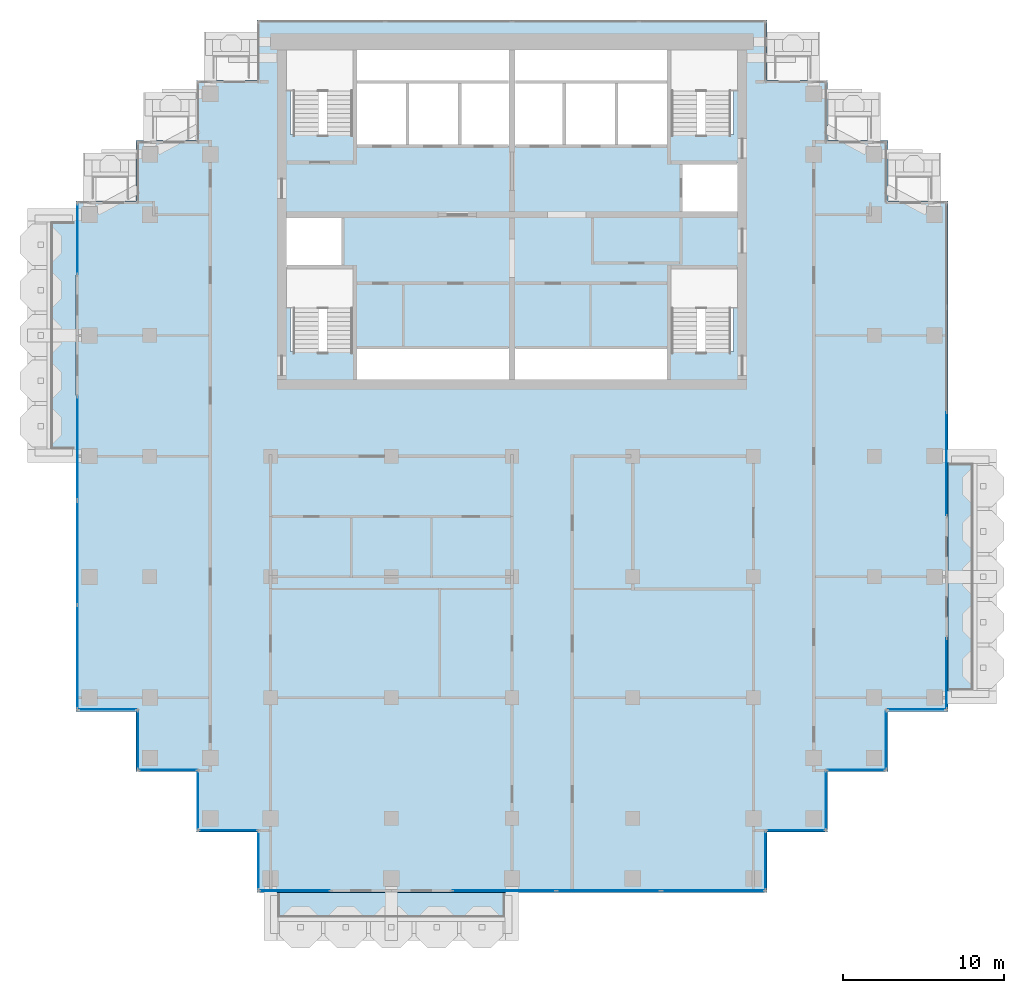
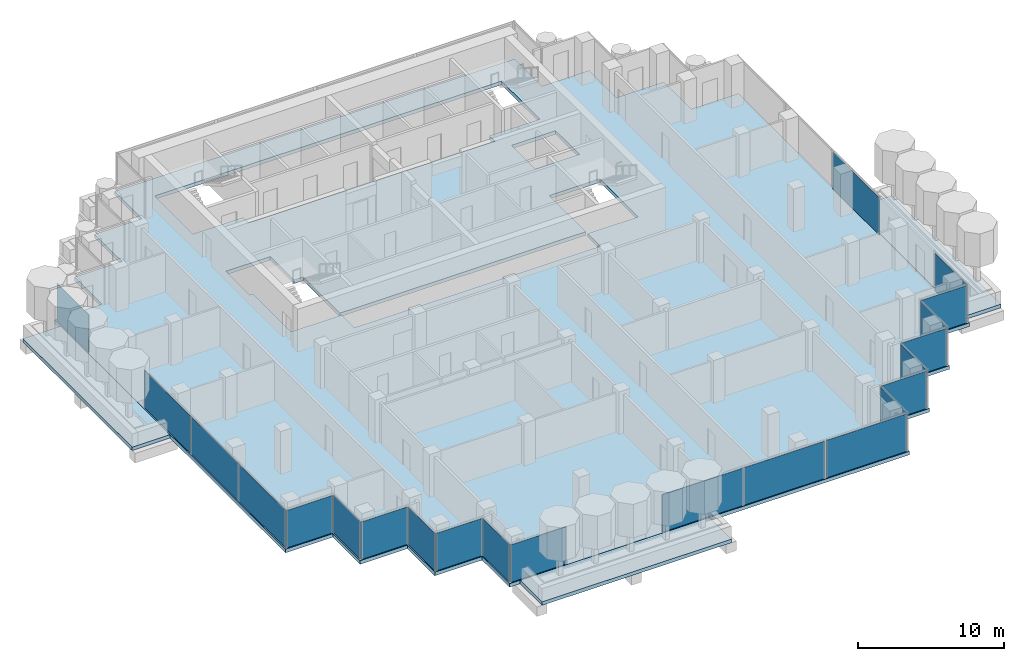
# One storey, part 8 of 18: 22 plates, 4 slabs, 20 elements without a shape of their own.
"""IFC4 building model written with IfcOpenShell, lengths in metres."""

from ifc_helpers import new_model, si_unit, direction, frame, origin, origin_2d, place, context, subcontext, project, spatial, polyline, rectangle, outline, extrude, material, layer, layer_set, type_object, element, aggregate, save


model = new_model("IFC4")

# Units and contexts
model_context = context("Model", 3, precision=1e-05, world=origin(), true_north=direction((0.0, 1.0)))
body_context = subcontext(model_context, "Body", "Model", "MODEL_VIEW")
ifc_project = project(units=[si_unit("LENGTHUNIT", "METRE"), si_unit("AREAUNIT", "SQUARE_METRE"), si_unit("VOLUMEUNIT", "CUBIC_METRE"), si_unit("PLANEANGLEUNIT", "RADIAN"), si_unit("MASSUNIT", "GRAM", prefix="KILO")], contexts=[model_context])

# Site, building, storey
site_placement = place(None, origin())
site = spatial("IfcSite", under=ifc_project, at=site_placement, CompositionType="ELEMENT")
building_placement = place(site_placement, origin())
building = spatial("IfcBuilding", under=site, at=building_placement, Name="Pilkhan Gate Tower", CompositionType="ELEMENT")
storey_placement = place(building_placement, frame((0.0, 0.0, 199.5)))
storey = spatial("IfcBuildingStorey", under=building, at=storey_placement, Name="L51", CompositionType="ELEMENT", Elevation=199.5)

# Slabs
ifc_material_1 = material(Name="Concrete C60/75", Category="concrete")
ifc_layer_1 = layer(ifc_material_1, 0.300048828125)
ifc_layer_set_1 = layer_set([ifc_layer_1], Name="Balcony tray slab TR300")
slab_type_1 = type_object("IfcSlabType", Name="Balcony tray slab TR300", PredefinedType="FLOOR", material=ifc_layer_set_1)
slab_1_placement = place(storey_placement, frame((0.0, 0.0, -0.300048828125)))
element("IfcSlab", 1, at=slab_1_placement, inside=storey, type_object=slab_type_1, Name="Balcony tray L51 S", PredefinedType="FLOOR", context=body_context, shape_type="SweptSolid", body=[
    extrude(outline(polyline([(75.0, 37.39990234375), (75.0, 40.39990234375), (60.0, 40.39990234375), (60.0, 37.39990234375), (75.0, 37.39990234375)])), origin(), (0.0, 0.0, 1.0), 0.300048828125),
])
slab_2_placement = place(storey_placement, frame((0.0, 0.0, -0.300048828125)))
element("IfcSlab", 2, at=slab_2_placement, inside=storey, type_object=slab_type_1, Name="Balcony tray L51 E", PredefinedType="FLOOR", context=body_context, shape_type="SweptSolid", body=[
    extrude(outline(polyline([(105.10009765625, 52.5), (105.10009765625, 67.5), (102.10009765625, 67.5), (102.10009765625, 52.5), (105.10009765625, 52.5)])), origin(), (0.0, 0.0, 1.0), 0.300048828125),
])
slab_3_placement = place(storey_placement, frame((0.0, 0.0, -0.300048828125)))
element("IfcSlab", 3, at=slab_3_placement, inside=storey, type_object=slab_type_1, Name="Balcony tray L51 W", PredefinedType="FLOOR", context=body_context, shape_type="SweptSolid", body=[
    extrude(outline(polyline([(47.89990234375, 67.5), (47.89990234375, 82.5), (44.89990234375, 82.5), (44.89990234375, 67.5), (47.89990234375, 67.5)])), origin(), (0.0, 0.0, 1.0), 0.300048828125),
])
ifc_material_2 = material(Name="Concrete C40/50", Category="concrete")
ifc_layer_2 = layer(ifc_material_2, 0.300048828125)
ifc_layer_set_2 = layer_set([ifc_layer_2], Name="Flat plate slab FP300")
slab_type_2 = type_object("IfcSlabType", Name="Flat plate slab FP300", PredefinedType="FLOOR", material=ifc_layer_set_2)
slab_4_placement = place(storey_placement, frame((0.0, 0.0, -0.300048828125)))
element("IfcSlab", 4, at=slab_4_placement, inside=storey, type_object=slab_type_2, Name="Floor slab L51", PredefinedType="FLOOR", context=body_context, shape_type="SweptSolid", body=[
    extrude(outline(polyline([(98.35009765625, 47.89990234375), (94.60009765625, 47.89990234375), (94.60009765625, 44.14990234375), (90.85009765625, 44.14990234375), (90.85009765625, 40.39990234375), (59.14990234375, 40.39990234375), (59.14990234375, 44.14990234375), (55.39990234375, 44.14990234375), (55.39990234375, 47.89990234375), (51.64990234375, 47.89990234375), (51.64990234375, 51.64990234375), (47.89990234375, 51.64990234375), (47.89990234375, 83.35009765625), (51.64990234375, 83.35009765625), (51.64990234375, 87.10009765625), (55.39990234375, 87.10009765625), (55.39990234375, 90.85009765625), (59.14990234375, 90.85009765625), (59.14990234375, 94.60009765625), (90.85009765625, 94.60009765625), (90.85009765625, 90.85009765625), (94.60009765625, 90.85009765625), (94.60009765625, 87.10009765625), (98.35009765625, 87.10009765625), (98.35009765625, 83.35009765625), (102.10009765625, 83.35009765625), (102.10009765625, 51.64990234375), (98.35009765625, 51.64990234375), (98.35009765625, 47.89990234375)]), holes=[polyline([(75.0, 72.25), (84.75, 72.25), (84.75, 74.0), (88.75, 74.0), (88.75, 79.25), (84.75, 79.25), (84.75, 74.25), (75.0, 74.25), (65.25, 74.25), (65.25, 79.25), (64.5, 79.25), (64.5, 82.5), (61.25, 82.5), (61.0, 82.5), (61.0, 79.25), (61.25, 79.25), (61.25, 74.0), (65.25, 74.0), (65.25, 72.25), (75.0, 72.25)]), polyline([(68.5, 86.75), (71.75, 86.75), (75.0, 86.75), (78.25, 86.75), (81.5, 86.75), (84.75, 86.75), (84.75, 87.5), (88.75, 87.5), (88.75, 92.75), (84.75, 92.75), (75.0, 92.75), (65.25, 92.75), (61.25, 92.75), (61.25, 87.5), (65.25, 87.5), (65.25, 86.75), (68.5, 86.75)]), polyline([(85.5, 85.75), (85.5, 82.5), (88.75, 82.5), (89.0, 82.5), (89.0, 85.75), (88.75, 85.75), (85.5, 85.75)])]), origin(), (0.0, 0.0, 1.0), 0.300048828125),
])

# Curtain wall, plate
ifc_material_3 = material(Name="Pale anodised aluminium, clear low-iron double glazing", Category="aluminium")
curtain_wall_type = type_object("IfcCurtainWallType", Name="Office unitised curtain wall CW-O2", PredefinedType="USERDEFINED", material=ifc_material_3)
curtain_wall_1_placement = place(storey_placement, origin())
curtain_wall_1 = element("IfcCurtainWall", 5, at=curtain_wall_1_placement, inside=storey, type_object=curtain_wall_type, Name="Office unitised curtain wall CW-O2 L51 E", ObjectType="UNITISED CURTAIN WALL", PredefinedType="USERDEFINED")
ifc_material_4 = material(Name="Clear low-iron double glazing", Category="glass")
ifc_layer_3 = layer(ifc_material_4, 0.031982421875)
ifc_layer_set_3 = layer_set([ifc_layer_3], Name="Glass panel CW-O2 32")
plate_type = type_object("IfcPlateType", Name="Glass panel CW-O2 32", PredefinedType="CURTAIN_PANEL", material=ifc_layer_set_3)
plate_1_placement = place(storey_placement, frame((102.0, 54.0, 0.0), z_axis=(0.0, 0.0, 1.0), x_axis=(0.0, 1.0, 0.0)))
plate_1 = element("IfcPlate", 6, at=plate_1_placement, type_object=plate_type, Name="CW-O2 panel 1", PredefinedType="CURTAIN_PANEL", context=body_context, shape_type="SweptSolid", body=[
    extrude(rectangle(XDim=4.3701171875, YDim=0.031982421875, at=origin_2d()), origin(), (0.0, 0.0, 1.0), 3.135009765625),
])
aggregate(curtain_wall_1, [plate_1])

curtain_wall_2_placement = place(storey_placement, origin())
curtain_wall_2 = element("IfcCurtainWall", 7, at=curtain_wall_2_placement, inside=storey, type_object=curtain_wall_type, Name="Office unitised curtain wall CW-O2 L51 E", ObjectType="UNITISED CURTAIN WALL", PredefinedType="USERDEFINED")
plate_2_placement = place(storey_placement, frame((102.0, 67.016357421875, 0.0), z_axis=(0.0, 0.0, 1.0), x_axis=(0.0, 1.0, 0.0)))
plate_2 = element("IfcPlate", 8, at=plate_2_placement, type_object=plate_type, Name="CW-O2 panel 1", PredefinedType="CURTAIN_PANEL", context=body_context, shape_type="SweptSolid", body=[
    extrude(rectangle(XDim=6.402587890625, YDim=0.031982421875, at=origin_2d()), origin(), (0.0, 0.0, 1.0), 3.135009765625),
])
aggregate(curtain_wall_2, [plate_2])

# Curtain wall, plates
curtain_wall_3_placement = place(storey_placement, origin())
curtain_wall_3 = element("IfcCurtainWall", 9, at=curtain_wall_3_placement, inside=storey, type_object=curtain_wall_type, Name="Office unitised curtain wall CW-O2 L51 W", ObjectType="UNITISED CURTAIN WALL", PredefinedType="USERDEFINED")
plate_3_placement = place(storey_placement, frame((48.0, 55.016357421875, 0.0), z_axis=(0.0, 0.0, 1.0), x_axis=(0.0, 1.0, 0.0)))
plate_3 = element("IfcPlate", 10, at=plate_3_placement, type_object=plate_type, Name="CW-O2 panel 1", PredefinedType="CURTAIN_PANEL", context=body_context, shape_type="SweptSolid", body=[
    extrude(rectangle(XDim=6.402587890625, YDim=0.031982421875, at=origin_2d()), origin(), (0.0, 0.0, 1.0), 3.135009765625),
])
plate_4_placement = place(storey_placement, frame((48.0, 61.483642578125, 0.0), z_axis=(0.0, 0.0, 1.0), x_axis=(0.0, 1.0, 0.0)))
plate_4 = element("IfcPlate", 11, at=plate_4_placement, type_object=plate_type, Name="CW-O2 panel 2", PredefinedType="CURTAIN_PANEL", context=body_context, shape_type="SweptSolid", body=[
    extrude(rectangle(XDim=6.402587890625, YDim=0.031982421875, at=origin_2d()), origin(), (0.0, 0.0, 1.0), 3.135009765625),
])
aggregate(curtain_wall_3, [plate_3, plate_4])

# Curtain wall, plate
curtain_wall_4_placement = place(storey_placement, origin())
curtain_wall_4 = element("IfcCurtainWall", 12, at=curtain_wall_4_placement, inside=storey, type_object=curtain_wall_type, Name="Office unitised curtain wall CW-O2 L51 W", ObjectType="UNITISED CURTAIN WALL", PredefinedType="USERDEFINED")
plate_5_placement = place(storey_placement, frame((48.0, 68.0, 0.0), z_axis=(0.0, 0.0, 1.0), x_axis=(0.0, 1.0, 0.0)))
plate_5 = element("IfcPlate", 13, at=plate_5_placement, type_object=plate_type, Name="CW-O2 panel 1", PredefinedType="CURTAIN_PANEL", context=body_context, shape_type="SweptSolid", body=[
    extrude(rectangle(XDim=6.3701171875, YDim=0.031982421875, at=origin_2d()), origin(), (0.0, 0.0, 1.0), 3.135009765625),
])
aggregate(curtain_wall_4, [plate_5])

curtain_wall_5_placement = place(storey_placement, origin())
curtain_wall_5 = element("IfcCurtainWall", 14, at=curtain_wall_5_placement, inside=storey, type_object=curtain_wall_type, Name="Office unitised curtain wall CW-O2 L51 W", ObjectType="UNITISED CURTAIN WALL", PredefinedType="USERDEFINED")
plate_6_placement = place(storey_placement, frame((48.0, 81.0, 0.0), z_axis=(0.0, 0.0, 1.0), x_axis=(0.0, 1.0, 0.0)))
plate_6 = element("IfcPlate", 15, at=plate_6_placement, type_object=plate_type, Name="CW-O2 panel 1", PredefinedType="CURTAIN_PANEL", context=body_context, shape_type="SweptSolid", body=[
    extrude(rectangle(XDim=4.3701171875, YDim=0.031982421875, at=origin_2d()), origin(), (0.0, 0.0, 1.0), 3.135009765625),
])
aggregate(curtain_wall_5, [plate_6])

curtain_wall_6_placement = place(storey_placement, origin())
curtain_wall_6 = element("IfcCurtainWall", 16, at=curtain_wall_6_placement, inside=storey, type_object=curtain_wall_type, Name="Office unitised curtain wall CW-O2 L51 S", ObjectType="UNITISED CURTAIN WALL", PredefinedType="USERDEFINED")
plate_7_placement = place(storey_placement, frame((49.875, 51.75, 0.0), z_axis=(0.0, 0.0, 1.0), x_axis=(1.0, 0.0, 0.0)))
plate_7 = element("IfcPlate", 17, at=plate_7_placement, type_object=plate_type, Name="CW-O2 panel 1", PredefinedType="CURTAIN_PANEL", context=body_context, shape_type="SweptSolid", body=[
    extrude(rectangle(XDim=3.6201171875, YDim=0.031982421875, at=origin_2d()), origin(), (0.0, 0.0, 1.0), 3.135009765625),
])
aggregate(curtain_wall_6, [plate_7])

curtain_wall_7_placement = place(storey_placement, origin())
curtain_wall_7 = element("IfcCurtainWall", 18, at=curtain_wall_7_placement, inside=storey, type_object=curtain_wall_type, Name="Office unitised curtain wall CW-O2 L51 W", ObjectType="UNITISED CURTAIN WALL", PredefinedType="USERDEFINED")
plate_8_placement = place(storey_placement, frame((51.75, 49.875, 0.0), z_axis=(0.0, 0.0, 1.0), x_axis=(0.0, 1.0, 0.0)))
plate_8 = element("IfcPlate", 19, at=plate_8_placement, type_object=plate_type, Name="CW-O2 panel 1", PredefinedType="CURTAIN_PANEL", context=body_context, shape_type="SweptSolid", body=[
    extrude(rectangle(XDim=3.6201171875, YDim=0.031982421875, at=origin_2d()), origin(), (0.0, 0.0, 1.0), 3.135009765625),
])
aggregate(curtain_wall_7, [plate_8])

curtain_wall_8_placement = place(storey_placement, origin())
curtain_wall_8 = element("IfcCurtainWall", 20, at=curtain_wall_8_placement, inside=storey, type_object=curtain_wall_type, Name="Office unitised curtain wall CW-O2 L51 S", ObjectType="UNITISED CURTAIN WALL", PredefinedType="USERDEFINED")
plate_9_placement = place(storey_placement, frame((53.625, 48.0, 0.0), z_axis=(0.0, 0.0, 1.0), x_axis=(1.0, 0.0, 0.0)))
plate_9 = element("IfcPlate", 21, at=plate_9_placement, type_object=plate_type, Name="CW-O2 panel 1", PredefinedType="CURTAIN_PANEL", context=body_context, shape_type="SweptSolid", body=[
    extrude(rectangle(XDim=3.6201171875, YDim=0.031982421875, at=origin_2d()), origin(), (0.0, 0.0, 1.0), 3.135009765625),
])
aggregate(curtain_wall_8, [plate_9])

curtain_wall_9_placement = place(storey_placement, origin())
curtain_wall_9 = element("IfcCurtainWall", 22, at=curtain_wall_9_placement, inside=storey, type_object=curtain_wall_type, Name="Office unitised curtain wall CW-O2 L51 W", ObjectType="UNITISED CURTAIN WALL", PredefinedType="USERDEFINED")
plate_10_placement = place(storey_placement, frame((55.5, 46.125, 0.0), z_axis=(0.0, 0.0, 1.0), x_axis=(0.0, 1.0, 0.0)))
plate_10 = element("IfcPlate", 23, at=plate_10_placement, type_object=plate_type, Name="CW-O2 panel 1", PredefinedType="CURTAIN_PANEL", context=body_context, shape_type="SweptSolid", body=[
    extrude(rectangle(XDim=3.6201171875, YDim=0.031982421875, at=origin_2d()), origin(), (0.0, 0.0, 1.0), 3.135009765625),
])
aggregate(curtain_wall_9, [plate_10])

curtain_wall_10_placement = place(storey_placement, origin())
curtain_wall_10 = element("IfcCurtainWall", 24, at=curtain_wall_10_placement, inside=storey, type_object=curtain_wall_type, Name="Office unitised curtain wall CW-O2 L51 S", ObjectType="UNITISED CURTAIN WALL", PredefinedType="USERDEFINED")
plate_11_placement = place(storey_placement, frame((57.375, 44.25, 0.0), z_axis=(0.0, 0.0, 1.0), x_axis=(1.0, 0.0, 0.0)))
plate_11 = element("IfcPlate", 25, at=plate_11_placement, type_object=plate_type, Name="CW-O2 panel 1", PredefinedType="CURTAIN_PANEL", context=body_context, shape_type="SweptSolid", body=[
    extrude(rectangle(XDim=3.6201171875, YDim=0.031982421875, at=origin_2d()), origin(), (0.0, 0.0, 1.0), 3.135009765625),
])
aggregate(curtain_wall_10, [plate_11])

curtain_wall_11_placement = place(storey_placement, origin())
curtain_wall_11 = element("IfcCurtainWall", 26, at=curtain_wall_11_placement, inside=storey, type_object=curtain_wall_type, Name="Office unitised curtain wall CW-O2 L51 W", ObjectType="UNITISED CURTAIN WALL", PredefinedType="USERDEFINED")
plate_12_placement = place(storey_placement, frame((59.25, 42.375, 0.0), z_axis=(0.0, 0.0, 1.0), x_axis=(0.0, 1.0, 0.0)))
plate_12 = element("IfcPlate", 27, at=plate_12_placement, type_object=plate_type, Name="CW-O2 panel 1", PredefinedType="CURTAIN_PANEL", context=body_context, shape_type="SweptSolid", body=[
    extrude(rectangle(XDim=3.6201171875, YDim=0.031982421875, at=origin_2d()), origin(), (0.0, 0.0, 1.0), 3.135009765625),
])
aggregate(curtain_wall_11, [plate_12])

curtain_wall_12_placement = place(storey_placement, origin())
curtain_wall_12 = element("IfcCurtainWall", 28, at=curtain_wall_12_placement, inside=storey, type_object=curtain_wall_type, Name="Office unitised curtain wall CW-O2 L51 S", ObjectType="UNITISED CURTAIN WALL", PredefinedType="USERDEFINED")
plate_13_placement = place(storey_placement, frame((61.5, 40.5, 0.0), z_axis=(0.0, 0.0, 1.0), x_axis=(1.0, 0.0, 0.0)))
plate_13 = element("IfcPlate", 29, at=plate_13_placement, type_object=plate_type, Name="CW-O2 panel 1", PredefinedType="CURTAIN_PANEL", context=body_context, shape_type="SweptSolid", body=[
    extrude(rectangle(XDim=4.3701171875, YDim=0.031982421875, at=origin_2d()), origin(), (0.0, 0.0, 1.0), 3.135009765625),
])
aggregate(curtain_wall_12, [plate_13])

# Curtain wall, plates
curtain_wall_13_placement = place(storey_placement, origin())
curtain_wall_13 = element("IfcCurtainWall", 30, at=curtain_wall_13_placement, inside=storey, type_object=curtain_wall_type, Name="Office unitised curtain wall CW-O2 L51 S", ObjectType="UNITISED CURTAIN WALL", PredefinedType="USERDEFINED")
plate_14_placement = place(storey_placement, frame((74.516357421875, 40.5, 0.0), z_axis=(0.0, 0.0, 1.0), x_axis=(1.0, 0.0, 0.0)))
plate_14 = element("IfcPlate", 31, at=plate_14_placement, type_object=plate_type, Name="CW-O2 panel 1", PredefinedType="CURTAIN_PANEL", context=body_context, shape_type="SweptSolid", body=[
    extrude(rectangle(XDim=6.402587890625, YDim=0.031982421875, at=origin_2d()), origin(), (0.0, 0.0, 1.0), 3.135009765625),
])
plate_15_placement = place(storey_placement, frame((80.983642578125, 40.5, 0.0), z_axis=(0.0, 0.0, 1.0), x_axis=(1.0, 0.0, 0.0)))
plate_15 = element("IfcPlate", 32, at=plate_15_placement, type_object=plate_type, Name="CW-O2 panel 2", PredefinedType="CURTAIN_PANEL", context=body_context, shape_type="SweptSolid", body=[
    extrude(rectangle(XDim=6.402587890625, YDim=0.031982421875, at=origin_2d()), origin(), (0.0, 0.0, 1.0), 3.135009765625),
])
aggregate(curtain_wall_13, [plate_14, plate_15])

# Curtain wall, plate
curtain_wall_14_placement = place(storey_placement, origin())
curtain_wall_14 = element("IfcCurtainWall", 33, at=curtain_wall_14_placement, inside=storey, type_object=curtain_wall_type, Name="Office unitised curtain wall CW-O2 L51 S", ObjectType="UNITISED CURTAIN WALL", PredefinedType="USERDEFINED")
plate_16_placement = place(storey_placement, frame((87.5, 40.5, 0.0), z_axis=(0.0, 0.0, 1.0), x_axis=(1.0, 0.0, 0.0)))
plate_16 = element("IfcPlate", 34, at=plate_16_placement, type_object=plate_type, Name="CW-O2 panel 1", PredefinedType="CURTAIN_PANEL", context=body_context, shape_type="SweptSolid", body=[
    extrude(rectangle(XDim=6.3701171875, YDim=0.031982421875, at=origin_2d()), origin(), (0.0, 0.0, 1.0), 3.135009765625),
])
aggregate(curtain_wall_14, [plate_16])

curtain_wall_15_placement = place(storey_placement, origin())
curtain_wall_15 = element("IfcCurtainWall", 35, at=curtain_wall_15_placement, inside=storey, type_object=curtain_wall_type, Name="Office unitised curtain wall CW-O2 L51 E", ObjectType="UNITISED CURTAIN WALL", PredefinedType="USERDEFINED")
plate_17_placement = place(storey_placement, frame((90.75, 42.375, 0.0), z_axis=(0.0, 0.0, 1.0), x_axis=(0.0, 1.0, 0.0)))
plate_17 = element("IfcPlate", 36, at=plate_17_placement, type_object=plate_type, Name="CW-O2 panel 1", PredefinedType="CURTAIN_PANEL", context=body_context, shape_type="SweptSolid", body=[
    extrude(rectangle(XDim=3.6201171875, YDim=0.031982421875, at=origin_2d()), origin(), (0.0, 0.0, 1.0), 3.135009765625),
])
aggregate(curtain_wall_15, [plate_17])

curtain_wall_16_placement = place(storey_placement, origin())
curtain_wall_16 = element("IfcCurtainWall", 37, at=curtain_wall_16_placement, inside=storey, type_object=curtain_wall_type, Name="Office unitised curtain wall CW-O2 L51 S", ObjectType="UNITISED CURTAIN WALL", PredefinedType="USERDEFINED")
plate_18_placement = place(storey_placement, frame((92.625, 44.25, 0.0), z_axis=(0.0, 0.0, 1.0), x_axis=(1.0, 0.0, 0.0)))
plate_18 = element("IfcPlate", 38, at=plate_18_placement, type_object=plate_type, Name="CW-O2 panel 1", PredefinedType="CURTAIN_PANEL", context=body_context, shape_type="SweptSolid", body=[
    extrude(rectangle(XDim=3.6201171875, YDim=0.031982421875, at=origin_2d()), origin(), (0.0, 0.0, 1.0), 3.135009765625),
])
aggregate(curtain_wall_16, [plate_18])

curtain_wall_17_placement = place(storey_placement, origin())
curtain_wall_17 = element("IfcCurtainWall", 39, at=curtain_wall_17_placement, inside=storey, type_object=curtain_wall_type, Name="Office unitised curtain wall CW-O2 L51 E", ObjectType="UNITISED CURTAIN WALL", PredefinedType="USERDEFINED")
plate_19_placement = place(storey_placement, frame((94.5, 46.125, 0.0), z_axis=(0.0, 0.0, 1.0), x_axis=(0.0, 1.0, 0.0)))
plate_19 = element("IfcPlate", 40, at=plate_19_placement, type_object=plate_type, Name="CW-O2 panel 1", PredefinedType="CURTAIN_PANEL", context=body_context, shape_type="SweptSolid", body=[
    extrude(rectangle(XDim=3.6201171875, YDim=0.031982421875, at=origin_2d()), origin(), (0.0, 0.0, 1.0), 3.135009765625),
])
aggregate(curtain_wall_17, [plate_19])

curtain_wall_18_placement = place(storey_placement, origin())
curtain_wall_18 = element("IfcCurtainWall", 41, at=curtain_wall_18_placement, inside=storey, type_object=curtain_wall_type, Name="Office unitised curtain wall CW-O2 L51 S", ObjectType="UNITISED CURTAIN WALL", PredefinedType="USERDEFINED")
plate_20_placement = place(storey_placement, frame((96.375, 48.0, 0.0), z_axis=(0.0, 0.0, 1.0), x_axis=(1.0, 0.0, 0.0)))
plate_20 = element("IfcPlate", 42, at=plate_20_placement, type_object=plate_type, Name="CW-O2 panel 1", PredefinedType="CURTAIN_PANEL", context=body_context, shape_type="SweptSolid", body=[
    extrude(rectangle(XDim=3.6201171875, YDim=0.031982421875, at=origin_2d()), origin(), (0.0, 0.0, 1.0), 3.135009765625),
])
aggregate(curtain_wall_18, [plate_20])

curtain_wall_19_placement = place(storey_placement, origin())
curtain_wall_19 = element("IfcCurtainWall", 43, at=curtain_wall_19_placement, inside=storey, type_object=curtain_wall_type, Name="Office unitised curtain wall CW-O2 L51 E", ObjectType="UNITISED CURTAIN WALL", PredefinedType="USERDEFINED")
plate_21_placement = place(storey_placement, frame((98.25, 49.875, 0.0), z_axis=(0.0, 0.0, 1.0), x_axis=(0.0, 1.0, 0.0)))
plate_21 = element("IfcPlate", 44, at=plate_21_placement, type_object=plate_type, Name="CW-O2 panel 1", PredefinedType="CURTAIN_PANEL", context=body_context, shape_type="SweptSolid", body=[
    extrude(rectangle(XDim=3.6201171875, YDim=0.031982421875, at=origin_2d()), origin(), (0.0, 0.0, 1.0), 3.135009765625),
])
aggregate(curtain_wall_19, [plate_21])

curtain_wall_20_placement = place(storey_placement, origin())
curtain_wall_20 = element("IfcCurtainWall", 45, at=curtain_wall_20_placement, inside=storey, type_object=curtain_wall_type, Name="Office unitised curtain wall CW-O2 L51 S", ObjectType="UNITISED CURTAIN WALL", PredefinedType="USERDEFINED")
plate_22_placement = place(storey_placement, frame((100.125, 51.75, 0.0), z_axis=(0.0, 0.0, 1.0), x_axis=(1.0, 0.0, 0.0)))
plate_22 = element("IfcPlate", 46, at=plate_22_placement, type_object=plate_type, Name="CW-O2 panel 1", PredefinedType="CURTAIN_PANEL", context=body_context, shape_type="SweptSolid", body=[
    extrude(rectangle(XDim=3.6201171875, YDim=0.031982421875, at=origin_2d()), origin(), (0.0, 0.0, 1.0), 3.135009765625),
])
aggregate(curtain_wall_20, [plate_22])

save(model, "model.ifc")
